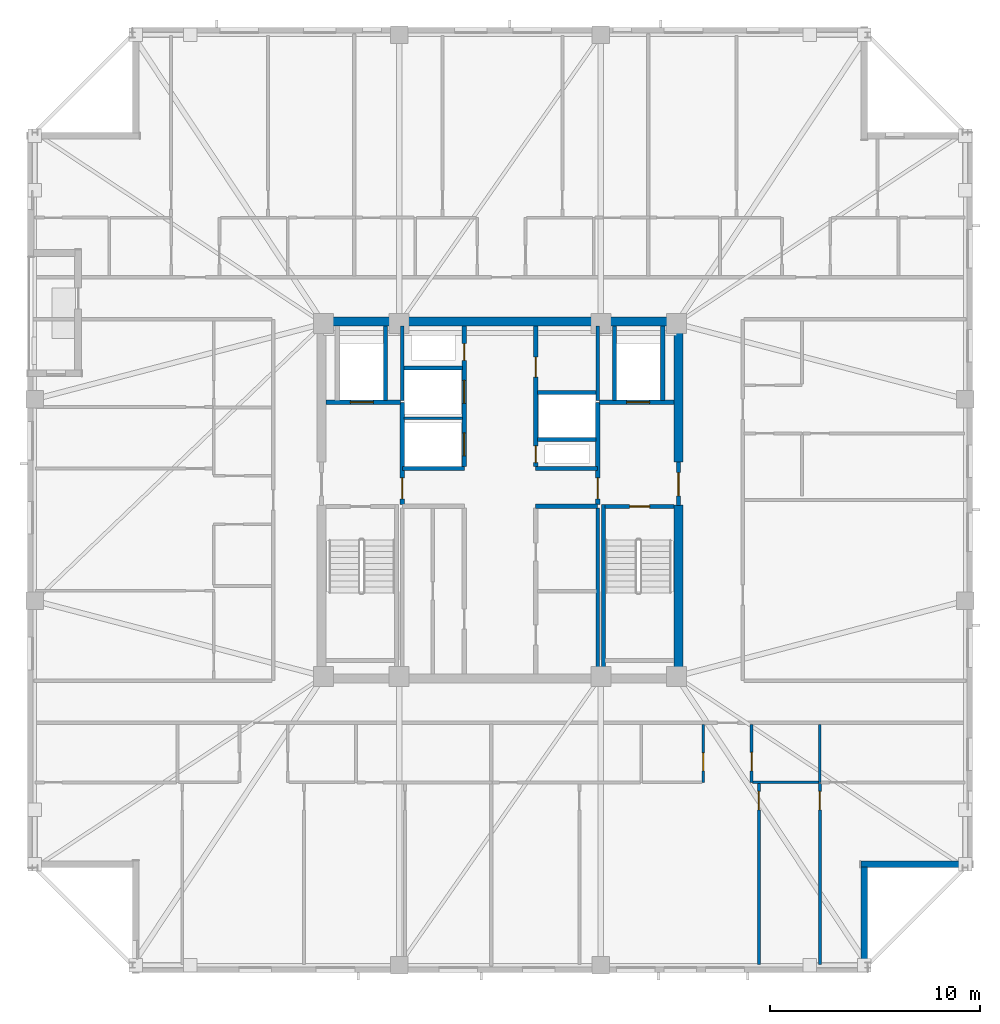
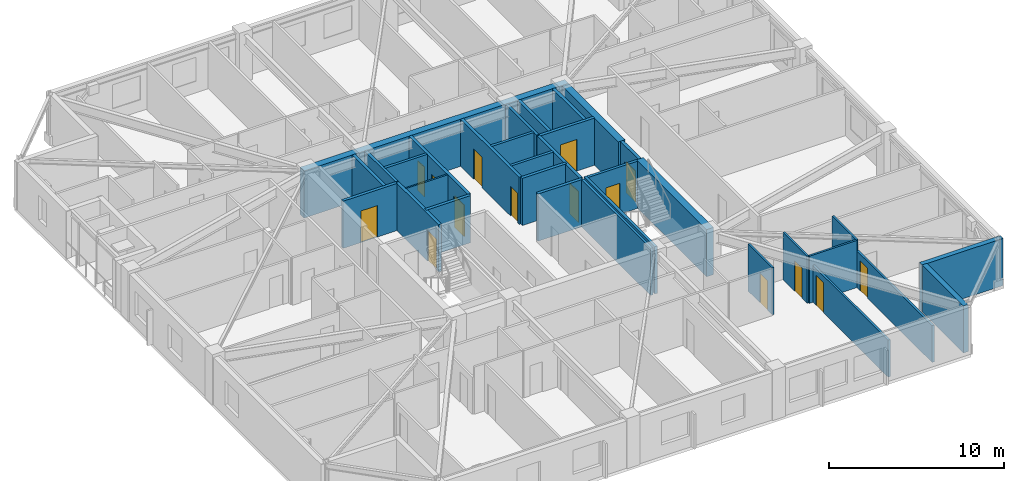
# One storey, part 9 of 17: 33 walls, 15 doors, 15 openings.
"""IFC4 building model written with IfcOpenShell, lengths in metres."""

import ifcopenshell
import ifcopenshell.guid

model = None  # the IFC model being written
_history = None  # IfcOwnerHistory: only IFC2X3 demands one
_inside = {}  # id of a spatial element -> (the spatial element, [elements in it])
_under = {}  # id of a project, library or spatial element -> (it, [spatial elements below it])
_declared = {}  # id of a project -> (the project, [libraries it declares])
_typed = {}  # id of a type object -> (the type object, [elements of that type])
_made_of = {}  # id of a material, layer set ... -> (it, [elements and type objects made of it])


def new_model(schema):
    """Start an empty IFC model of exactly this schema.

    Asked for "IFC4X3", IfcOpenShell would pick the latest addendum, in which some entities
    have other attributes; the version numbers below select the first issue.
    IFC2X3 requires an IfcOwnerHistory on every rooted entity: one is made here for all.
    """
    global model, _history
    if schema == "IFC4X3":
        model = ifcopenshell.file(schema_version=(4, 3, 0, 0))
    else:
        model = ifcopenshell.file(schema=schema)
    _inside.clear()
    _under.clear()
    _declared.clear()
    _typed.clear()
    _made_of.clear()
    _history = None
    if model.schema == "IFC2X3":
        org = make("IfcOrganization", Name="unknown")
        user = make(
            "IfcPersonAndOrganization",
            ThePerson=make("IfcPerson", FamilyName="unknown"),
            TheOrganization=org,
        )
        app = make(
            "IfcApplication",
            ApplicationDeveloper=org,
            Version="unknown",
            ApplicationFullName="unknown",
            ApplicationIdentifier="unknown",
        )
        _history = make(
            "IfcOwnerHistory",
            OwningUser=user,
            OwningApplication=app,
            ChangeAction="ADDED",
            CreationDate=0,
        )
    return model


def make(cls, **values):
    """One entity of the class cls with the attributes given. An attribute that is None is left unset."""
    return model.create_entity(
        cls, **{name: value for name, value in values.items() if value is not None}
    )


def rooted(cls, **values):
    """An entity with a GlobalId (a new one), such as an element, a storey or a relation."""
    return make(cls, GlobalId=ifcopenshell.guid.new(), OwnerHistory=_history, **values)


def si_unit(unit_type, name, prefix=None):
    """IfcSIUnit, for example si_unit("LENGTHUNIT", "METRE", prefix="MILLI")."""
    return make("IfcSIUnit", UnitType=unit_type, Prefix=prefix, Name=name)


def assignment(units):
    """IfcUnitAssignment: the units of a project."""
    return None if units is None else make("IfcUnitAssignment", Units=units)


def point(xyz):
    """IfcCartesianPoint."""
    return None if xyz is None else make("IfcCartesianPoint", Coordinates=xyz)


def direction(xyz):
    """IfcDirection."""
    return None if xyz is None else make("IfcDirection", DirectionRatios=xyz)


def frame(location, z_axis=None, x_axis=None):
    """IfcAxis2Placement3D, a coordinate frame: its origin and axes. An axis left out is left unset."""
    return make(
        "IfcAxis2Placement3D",
        Location=point(location),
        Axis=direction(z_axis),
        RefDirection=direction(x_axis),
    )


def frame_2d(location, x_axis=None):
    """IfcAxis2Placement2D, a coordinate frame in the plane: its origin and x axis."""
    return make(
        "IfcAxis2Placement2D", Location=point(location), RefDirection=direction(x_axis)
    )


def origin():
    """The frame at (0, 0, 0) with its axes left unset."""
    return frame((0.0, 0.0, 0.0))


def place(relative_to, where):
    """IfcLocalPlacement: puts the frame where relative to a parent placement (None: the world)."""
    return make(
        "IfcLocalPlacement", PlacementRelTo=relative_to, RelativePlacement=where
    )


def context(
    kind, dimensions, precision=None, world=None, true_north=None, identifier=None
):
    """IfcGeometricRepresentationContext, for example the 3D "Model" context."""
    return make(
        "IfcGeometricRepresentationContext",
        ContextIdentifier=identifier,
        ContextType=kind,
        CoordinateSpaceDimension=dimensions,
        Precision=precision,
        WorldCoordinateSystem=world,
        TrueNorth=true_north,
    )


def subcontext(parent, identifier, kind, view, scale=None):
    """IfcGeometricRepresentationSubContext, for example "Body" below "Model"."""
    return make(
        "IfcGeometricRepresentationSubContext",
        ContextIdentifier=identifier,
        ContextType=kind,
        ParentContext=parent,
        TargetScale=scale,
        TargetView=view,
    )


def project(units=None, contexts=None):
    """IfcProject with its units and contexts."""
    return rooted(
        "IfcProject",
        Name="project",
        RepresentationContexts=contexts,
        UnitsInContext=assignment(units),
    )


def spatial(cls, under=None, at=None, **own):
    """A site, building, storey or space (cls), placed at a placement, below another one or the project."""
    s = rooted(cls, ObjectPlacement=at, **own)
    if under is not None:
        _under.setdefault(under.id(), (under, []))[1].append(s)
    return s


def profile(cls, at=None, kind="AREA", **sizes):
    """A parametric profile (cls). Its sizes go by their IFC names, for example OverallWidth=200.0."""
    return make(cls, ProfileType=kind, Position=at, **sizes)


def rectangle(**sizes):
    """IfcRectangleProfileDef."""
    return profile("IfcRectangleProfileDef", **sizes)


def extrude(swept, where, along, depth):
    """IfcExtrudedAreaSolid: the profile swept, set in the frame where, extruded along a direction by depth."""
    return make(
        "IfcExtrudedAreaSolid",
        SweptArea=swept,
        Position=where,
        ExtrudedDirection=direction(along),
        Depth=depth,
    )


def shape(context_of_items, identifier, shape_type, items):
    """IfcShapeRepresentation: the items that make up one representation, for example the "Body"."""
    return make(
        "IfcShapeRepresentation",
        ContextOfItems=context_of_items,
        RepresentationIdentifier=identifier,
        RepresentationType=shape_type,
        Items=items,
    )


def material(Name=None, Category=None):
    """IfcMaterial."""
    return make("IfcMaterial", Name=Name, Category=Category)


def layer(
    of_material, thickness, ventilated=None, Name=None, Category=None, Priority=None
):
    """IfcMaterialLayer: one layer of a wall or slab, of a material (None: an air gap)."""
    return make(
        "IfcMaterialLayer",
        Material=of_material,
        LayerThickness=thickness,
        IsVentilated=ventilated,
        Name=Name,
        Category=Category,
        Priority=Priority,
    )


def layer_set(layers, Name=None):
    """IfcMaterialLayerSet."""
    return make("IfcMaterialLayerSet", MaterialLayers=layers, LayerSetName=Name)


def made_of(thing, what):
    """Note that an element or type object is made of a material, layer set ...; save() writes the relation."""
    if what is not None:
        _made_of.setdefault(what.id(), (what, []))[1].append(thing)
    return thing


def type_object(cls, material=None, **own):
    """A type object (cls), such as IfcWallType, which elements share."""
    return made_of(rooted(cls, **own), material)


def element(
    cls,
    number,
    at=None,
    inside=None,
    cuts=None,
    type_object=None,
    material=None,
    context=None,
    identifier="Body",
    shape_type=None,
    held_by="IfcProductDefinitionShape",
    body=None,
    shapes=None,
    **own,
):
    """One element of the class cls, such as IfcWall. Its Tag is "e" and its number.

    at: its placement. inside: the storey or other place that contains it. cuts: it is an
    opening in that element (IfcRelVoidsElement). A single representation is given by context,
    identifier, shape_type and body (its items); several are given by shapes. held_by: the class
    of the entity that holds the representations. save() writes the other relations.
    """
    e = rooted(cls, Tag="e%d" % number, ObjectPlacement=at, **own)
    if body is not None:
        shapes = [shape(context, identifier, shape_type, body)]
    if shapes is not None:
        e.Representation = make(held_by, Representations=shapes)
    if inside is not None:
        _inside.setdefault(inside.id(), (inside, []))[1].append(e)
    if cuts is not None:
        rooted(
            "IfcRelVoidsElement", RelatingBuildingElement=cuts, RelatedOpeningElement=e
        )
    if type_object is not None:
        _typed.setdefault(type_object.id(), (type_object, []))[1].append(e)
    return made_of(e, material)


def fill(opening, filler):
    """IfcRelFillsElement: the door or window that sits in an opening."""
    return rooted(
        "IfcRelFillsElement",
        RelatingOpeningElement=opening,
        RelatedBuildingElement=filler,
    )


def aggregate(whole, parts):
    """IfcRelAggregates: a whole, such as a stair, and the parts it consists of."""
    return rooted("IfcRelAggregates", RelatingObject=whole, RelatedObjects=parts)


def save(model, path):
    """Write the relations noted so far, then the file.

    IfcRelAggregates (storeys below a building ...), IfcRelContainedInSpatialStructure (elements
    in a storey), IfcRelDefinesByType, IfcRelAssociatesMaterial and IfcRelDeclares: one each for
    every whole, place, type object, material and project.
    """
    for whole, parts in _under.values():
        aggregate(whole, parts)
    for where, things in _inside.values():
        rooted(
            "IfcRelContainedInSpatialStructure",
            RelatedElements=things,
            RelatingStructure=where,
        )
    for kind, things in _typed.values():
        rooted("IfcRelDefinesByType", RelatedObjects=things, RelatingType=kind)
    for what, things in _made_of.values():
        rooted("IfcRelAssociatesMaterial", RelatedObjects=things, RelatingMaterial=what)
    for by, libraries in _declared.values():
        rooted("IfcRelDeclares", RelatingContext=by, RelatedDefinitions=libraries)
    model.write(path)


model = new_model("IFC4")

# Units and contexts
model_context = context("Model", 3, precision=1e-05, world=origin(), true_north=direction((0.0, 1.0)))
body_context = subcontext(model_context, "Body", "Model", "MODEL_VIEW")
ifc_project = project(units=[si_unit("LENGTHUNIT", "METRE"), si_unit("AREAUNIT", "SQUARE_METRE"), si_unit("VOLUMEUNIT", "CUBIC_METRE"), si_unit("PLANEANGLEUNIT", "RADIAN"), si_unit("MASSUNIT", "GRAM", prefix="KILO")], contexts=[model_context])

# Site, building, storey
site_placement = place(None, origin())
site = spatial("IfcSite", under=ifc_project, at=site_placement, CompositionType="ELEMENT")
building_placement = place(site_placement, origin())
building = spatial("IfcBuilding", under=site, at=building_placement, Name="Cairnveth Concourse Tower", CompositionType="ELEMENT")
storey_placement = place(building_placement, frame((0.0, 0.0, 230.5)))
storey = spatial("IfcBuildingStorey", under=building, at=storey_placement, Name="L63", CompositionType="ELEMENT", Elevation=230.5)

# Walls
ifc_material_1 = material(Name="Gypsum Plasterboard Partition", Category="gypsum")
ifc_layer_1 = layer(ifc_material_1, 0.159912109375)
ifc_layer_set_1 = layer_set([ifc_layer_1], Name="Gypsum Plasterboard Partition")
wall_type_1 = type_object("IfcWallType", Name="ACOUSTIC PARTY WALL 180", PredefinedType="PARTITIONING", material=ifc_layer_set_1)
wall_1_placement = place(storey_placement, frame((56.64990234375, 30.7099609375, 0.0), z_axis=(0.0, 0.0, 1.0), x_axis=(0.0, 1.0, 0.0)))
element("IfcWall", 1, at=wall_1_placement, inside=storey, type_object=wall_type_1, Name="Interior Wall IW-L63-027", PredefinedType="PARTITIONING", context=body_context, shape_type="SweptSolid", body=[
    extrude(rectangle(XDim=7.905029296875, YDim=0.159912109375, at=frame_2d((3.95263671875, 0.0))), origin(), (0.0, 0.0, 1.0), 3.2900390625),
])
ifc_material_2 = material(Name="Concrete N65 (65 MPa)", Category="concrete")
ifc_layer_2 = layer(ifc_material_2, 0.449951171875)
ifc_layer_set_2 = layer_set([ifc_layer_2], Name="Concrete N65 (65 MPa)")
wall_type_2 = type_object("IfcWallType", Name="CORE SHEAR WALL 450", PredefinedType="SHEAR", material=ifc_layer_set_2)
wall_2_placement = place(storey_placement, frame((43.27490234375, 47.5, 0.0), z_axis=(0.0, 0.0, 1.0), x_axis=(1.0, 0.0, 0.0)))
element("IfcWall", 2, at=wall_2_placement, inside=storey, type_object=wall_type_2, Name="Core North Shear Wall L63", PredefinedType="SHEAR", context=body_context, shape_type="SweptSolid", body=[
    extrude(rectangle(XDim=17.4501953125, YDim=0.449951171875, at=frame_2d((8.72509765625, 0.0))), origin(), (0.0, 0.0, 1.0), 3.2900390625),
])
wall_3_placement = place(storey_placement, frame((60.5, 30.715087890625, 0.0), z_axis=(0.0, 0.0, 1.0), x_axis=(0.0, 1.0, 0.0)))
element("IfcWall", 3, at=wall_3_placement, inside=storey, type_object=wall_type_2, Name="Core East Shear Wall S L63", PredefinedType="SHEAR", context=body_context, shape_type="SweptSolid", body=[
    extrude(rectangle(XDim=8.034912109375, YDim=0.449951171875, at=frame_2d((4.017578125, 0.0))), origin(), (0.0, 0.0, 1.0), 3.2900390625),
])
wall_4_placement = place(storey_placement, frame((60.5, 40.800048828125, 0.0), z_axis=(0.0, 0.0, 1.0), x_axis=(0.0, 1.0, 0.0)))
element("IfcWall", 4, at=wall_4_placement, inside=storey, type_object=wall_type_2, Name="Core East Shear Wall N L63", PredefinedType="SHEAR", context=body_context, shape_type="SweptSolid", body=[
    extrude(rectangle(XDim=6.48486328125, YDim=0.449951171875, at=frame_2d((3.242431640625, 0.0))), origin(), (0.0, 0.0, 1.0), 3.2900390625),
])
ifc_material_3 = material(Name="Concrete N50 (50 MPa)", Category="concrete")
ifc_layer_3 = layer(ifc_material_3, 0.179931640625)
ifc_layer_set_3 = layer_set([ifc_layer_3], Name="Concrete N50 (50 MPa)")
wall_type_3 = type_object("IfcWallType", Name="FIRE SHAFT WALL 180", PredefinedType="SOLIDWALL", material=ifc_layer_set_3)
wall_5_placement = place(storey_placement, frame((47.35009765625, 43.735107421875, 0.0), z_axis=(0.0, 0.0, 1.0), x_axis=(0.0, 1.0, 0.0)))
element("IfcWall", 5, at=wall_5_placement, inside=storey, type_object=wall_type_3, Name="Interior Wall IW-L63-029", PredefinedType="SOLIDWALL", context=body_context, shape_type="SweptSolid", body=[
    extrude(rectangle(XDim=3.554931640625, YDim=0.179931640625, at=frame_2d((1.77734375, 0.0))), origin(), (0.0, 0.0, 1.0), 3.2900390625),
])
wall_6_placement = place(storey_placement, frame((47.425048828125, 45.280029296875, 0.0), z_axis=(0.0, 0.0, 1.0), x_axis=(1.0, 0.0, 0.0)))
element("IfcWall", 6, at=wall_6_placement, inside=storey, type_object=wall_type_3, Name="Interior Wall IW-L63-031", PredefinedType="SOLIDWALL", context=body_context, shape_type="SweptSolid", body=[
    extrude(rectangle(XDim=2.7900390625, YDim=0.179931640625, at=frame_2d((1.39501953125, 0.0))), origin(), (0.0, 0.0, 1.0), 3.2900390625),
])
wall_7_placement = place(storey_placement, frame((56.64990234375, 43.735107421875, 0.0), z_axis=(0.0, 0.0, 1.0), x_axis=(0.0, 1.0, 0.0)))
element("IfcWall", 7, at=wall_7_placement, inside=storey, type_object=wall_type_3, Name="Interior Wall IW-L63-032", PredefinedType="SOLIDWALL", context=body_context, shape_type="SweptSolid", body=[
    extrude(rectangle(XDim=3.554931640625, YDim=0.179931640625, at=frame_2d((1.77734375, 0.0))), origin(), (0.0, 0.0, 1.0), 3.2900390625),
])
wall_8_placement = place(storey_placement, frame((53.784912109375, 41.8798828125, 0.0), z_axis=(0.0, 0.0, 1.0), x_axis=(1.0, 0.0, 0.0)))
element("IfcWall", 8, at=wall_8_placement, inside=storey, type_object=wall_type_3, Name="Interior Wall IW-L63-033", PredefinedType="SOLIDWALL", context=body_context, shape_type="SweptSolid", body=[
    extrude(rectangle(XDim=2.780029296875, YDim=0.179931640625, at=frame_2d((1.39013671875, 0.0))), origin(), (0.0, 0.0, 1.0), 3.2900390625),
])
wall_9_placement = place(storey_placement, frame((53.784912109375, 44.1201171875, 0.0), z_axis=(0.0, 0.0, 1.0), x_axis=(1.0, 0.0, 0.0)))
element("IfcWall", 9, at=wall_9_placement, inside=storey, type_object=wall_type_3, Name="Interior Wall IW-L63-034", PredefinedType="SOLIDWALL", context=body_context, shape_type="SweptSolid", body=[
    extrude(rectangle(XDim=2.7900390625, YDim=0.179931640625, at=frame_2d((1.39501953125, 0.0))), origin(), (0.0, 0.0, 1.0), 3.2900390625),
])

# Wall, opening, door
wall_10_placement = place(storey_placement, frame((57.0048828125, 38.68994140625, 0.0), z_axis=(0.0, 0.0, 1.0), x_axis=(1.0, 0.0, 0.0)))
wall_10 = element("IfcWall", 10, at=wall_10_placement, inside=storey, type_object=wall_type_3, Name="Stair ST-2 Shaft Wall NEAR L63", PredefinedType="SOLIDWALL", context=body_context, shape_type="SweptSolid", body=[
    extrude(rectangle(XDim=3.280029296875, YDim=0.179931640625, at=frame_2d((1.64013671875, 0.0))), origin(), (0.0, 0.0, 1.0), 3.2900390625),
])
opening_1_placement = place(wall_10_placement, frame((1.1650390625, 0.0, 0.0)))
opening_1 = element("IfcOpeningElement", 11, at=opening_1_placement, cuts=wall_10, Name="Opening ID12", PredefinedType="OPENING", context=body_context, shape_type="SweptSolid", body=[
    extrude(rectangle(XDim=0.949951171875, YDim=2.14990234375, at=frame_2d((0.47509765625, 1.074951171875))), frame((0.0, 0.099853515625, 0.0), z_axis=(0.0, -1.0, 0.0), x_axis=(1.0, 0.0, 0.0)), (0.0, 0.0, 1.0), 0.199951171875),
])
ifc_material_4 = material(Name="Steel Grade 350", Category="steel")
door_type_1 = type_object("IfcDoorType", Name="FIRE STAIR DOOR 950X2150", OperationType="NOTDEFINED", PredefinedType="DOOR", material=ifc_material_4)
door_1_placement = place(opening_1_placement, origin())
door_1 = element("IfcDoor", 12, at=door_1_placement, inside=storey, type_object=door_type_1, Name="Stair ST-2 Fire Door L63", OperationType="SINGLE_SWING_RIGHT", OverallHeight=2.14990234375, OverallWidth=0.949951171875, PredefinedType="DOOR", context=body_context, shape_type="SweptSolid", body=[
    extrude(rectangle(XDim=0.949951171875, YDim=2.14990234375, at=frame_2d((0.47509765625, 1.074951171875))), frame((0.0, 0.02490234375, 0.0), z_axis=(0.0, -1.0, 0.0), x_axis=(1.0, 0.0, 0.0)), (0.0, 0.0, 1.0), 0.050048828125),
])
fill(opening_1, door_1)

# Walls
wall_11_placement = place(storey_placement, frame((56.929931640625, 38.780029296875, 0.0), z_axis=(0.0, 0.0, 1.0), x_axis=(0.0, -1.0, 0.0)))
element("IfcWall", 13, at=wall_11_placement, inside=storey, type_object=wall_type_3, Name="Stair ST-2 Shaft Wall LEFT L63", PredefinedType="SOLIDWALL", context=body_context, shape_type="SweptSolid", body=[
    extrude(rectangle(XDim=8.067138671875, YDim=0.179931640625, at=frame_2d((4.03369140625, 0.0))), origin(), (0.0, 0.0, 1.0), 3.2900390625),
])
ifc_layer_4 = layer(ifc_material_3, 0.199951171875)
ifc_layer_set_4 = layer_set([ifc_layer_4], Name="Concrete N50 (50 MPa)")
wall_type_4 = type_object("IfcWallType", Name="FIRE SHAFT WALL 200", PredefinedType="SOLIDWALL", material=ifc_layer_set_4)
for number, where, z_axis, x_axis, name in (
    (14, (47.35009765625, 40.5, 0.0), (0.0, 0.0, 1.0), (1.0, 0.0, 0.0), "Interior Wall IW-L63-008"),
    (15, (53.699951171875, 38.699951171875, 0.0), (0.0, 0.0, 1.0), (1.0, 0.0, 0.0), "Interior Wall IW-L63-009"),
    (16, (53.699951171875, 40.5, 0.0), (0.0, 0.0, 1.0), (1.0, 0.0, 0.0), "Interior Wall IW-L63-010"),
):
    element("IfcWall", number, at=place(storey_placement, frame(where, z_axis=z_axis, x_axis=x_axis)), inside=storey, type_object=wall_type_4, Name=name, PredefinedType="SOLIDWALL", context=body_context, shape_type="SweptSolid", body=[
        extrude(rectangle(XDim=2.949951171875, YDim=0.199951171875, at=frame_2d((1.47509765625, 0.0))), origin(), (0.0, 0.0, 1.0), 3.2900390625),
    ])

# Wall, openings, doors
wall_12_placement = place(storey_placement, frame((50.300048828125, 40.5849609375, 0.0), z_axis=(0.0, 0.0, 1.0), x_axis=(0.0, 1.0, 0.0)))
wall_12 = element("IfcWall", 17, at=wall_12_placement, inside=storey, type_object=wall_type_4, Name="Interior Wall IW-L63-013", PredefinedType="SOLIDWALL", context=body_context, shape_type="SweptSolid", body=[
    extrude(rectangle(XDim=6.705078125, YDim=0.199951171875, at=frame_2d((3.3525390625, 0.0))), origin(), (0.0, 0.0, 1.0), 3.2900390625),
])
opening_2_placement = place(wall_12_placement, frame((0.514892578125, 0.0, 0.0)))
opening_2 = element("IfcOpeningElement", 18, at=opening_2_placement, cuts=wall_12, Name="Opening LD-1", PredefinedType="OPENING", context=body_context, shape_type="SweptSolid", body=[
    extrude(rectangle(XDim=1.10009765625, YDim=2.199951171875, at=frame_2d((0.550048828125, 1.10009765625))), frame((0.0, 0.10986328125, 0.0), z_axis=(0.0, -1.0, 0.0), x_axis=(1.0, 0.0, 0.0)), (0.0, 0.0, 1.0), 0.219970703125),
])
opening_3_placement = place(wall_12_placement, frame((3.014892578125, 0.0, 0.0)))
opening_3 = element("IfcOpeningElement", 19, at=opening_3_placement, cuts=wall_12, Name="Opening LD-1", PredefinedType="OPENING", context=body_context, shape_type="SweptSolid", body=[
    extrude(rectangle(XDim=1.10009765625, YDim=2.199951171875, at=frame_2d((0.550048828125, 1.10009765625))), frame((0.0, 0.10986328125, 0.0), z_axis=(0.0, -1.0, 0.0), x_axis=(1.0, 0.0, 0.0)), (0.0, 0.0, 1.0), 0.219970703125),
])
opening_4_placement = place(wall_12_placement, frame((5.06494140625, 0.0, 0.0)))
opening_4 = element("IfcOpeningElement", 20, at=opening_4_placement, cuts=wall_12, Name="Opening ID24", PredefinedType="OPENING", context=body_context, shape_type="SweptSolid", body=[
    extrude(rectangle(XDim=0.800048828125, YDim=2.080078125, at=frame_2d((0.39990234375, 1.0400390625))), frame((0.0, 0.10986328125, 0.0), z_axis=(0.0, -1.0, 0.0), x_axis=(1.0, 0.0, 0.0)), (0.0, 0.0, 1.0), 0.219970703125),
])
ifc_material_5 = material(Name="Architectural Bronze Anodised Aluminium 6063-T6", Category="aluminium")
door_type_2 = type_object("IfcDoorType", Name="LIFT LANDING DOOR 1100X2200", OperationType="SLIDING_TO_LEFT", PredefinedType="DOOR", material=ifc_material_5)
door_2_placement = place(opening_2_placement, origin())
door_2 = element("IfcDoor", 21, at=door_2_placement, inside=storey, type_object=door_type_2, Name="Lift PL7 Landing Door L63", OperationType="SLIDING_TO_LEFT", OverallHeight=2.199951171875, OverallWidth=1.10009765625, PredefinedType="DOOR", context=body_context, shape_type="SweptSolid", body=[
    extrude(rectangle(XDim=1.10009765625, YDim=2.199951171875, at=frame_2d((0.550048828125, 1.10009765625))), frame((0.0, 0.02490234375, 0.0), z_axis=(0.0, -1.0, 0.0), x_axis=(1.0, 0.0, 0.0)), (0.0, 0.0, 1.0), 0.050048828125),
])
fill(opening_2, door_2)
door_3_placement = place(opening_3_placement, origin())
door_3 = element("IfcDoor", 22, at=door_3_placement, inside=storey, type_object=door_type_2, Name="Lift PL8 Landing Door L63", OperationType="SLIDING_TO_LEFT", OverallHeight=2.199951171875, OverallWidth=1.10009765625, PredefinedType="DOOR", context=body_context, shape_type="SweptSolid", body=[
    extrude(rectangle(XDim=1.10009765625, YDim=2.199951171875, at=frame_2d((0.550048828125, 1.10009765625))), frame((0.0, 0.02490234375, 0.0), z_axis=(0.0, -1.0, 0.0), x_axis=(1.0, 0.0, 0.0)), (0.0, 0.0, 1.0), 0.050048828125),
])
fill(opening_3, door_3)
door_type_3 = type_object("IfcDoorType", Name="RISER ACCESS DOOR 800X2100", OperationType="NOTDEFINED", PredefinedType="DOOR", material=ifc_material_4)
door_4_placement = place(opening_4_placement, origin())
door_4 = element("IfcDoor", 23, at=door_4_placement, inside=storey, type_object=door_type_3, Name="NW Electrical Riser Access Door L63", OperationType="SINGLE_SWING_LEFT", OverallHeight=2.080078125, OverallWidth=0.800048828125, PredefinedType="DOOR", context=body_context, shape_type="SweptSolid", body=[
    extrude(rectangle(XDim=0.800048828125, YDim=2.080078125, at=frame_2d((0.39990234375, 1.0400390625))), frame((0.0, 0.02490234375, 0.0), z_axis=(0.0, -1.0, 0.0), x_axis=(1.0, 0.0, 0.0)), (0.0, 0.0, 1.0), 0.050048828125),
])
fill(opening_4, door_4)

wall_13_placement = place(storey_placement, frame((53.699951171875, 40.5849609375, 0.0), z_axis=(0.0, 0.0, 1.0), x_axis=(0.0, 1.0, 0.0)))
wall_13 = element("IfcWall", 24, at=wall_13_placement, inside=storey, type_object=wall_type_4, Name="Interior Wall IW-L63-014", PredefinedType="SOLIDWALL", context=body_context, shape_type="SweptSolid", body=[
    extrude(rectangle(XDim=6.705078125, YDim=0.199951171875, at=frame_2d((3.3525390625, 0.0))), origin(), (0.0, 0.0, 1.0), 3.2900390625),
])
opening_5_placement = place(wall_13_placement, frame((0.195068359375, 0.0, 0.0)))
opening_5 = element("IfcOpeningElement", 25, at=opening_5_placement, cuts=wall_13, Name="Opening ID24", PredefinedType="OPENING", context=body_context, shape_type="SweptSolid", body=[
    extrude(rectangle(XDim=0.800048828125, YDim=2.080078125, at=frame_2d((0.39990234375, 1.0400390625))), frame((0.0, 0.10986328125, 0.0), z_axis=(0.0, -1.0, 0.0), x_axis=(1.0, 0.0, 0.0)), (0.0, 0.0, 1.0), 0.219970703125),
])
opening_6_placement = place(wall_13_placement, frame((4.264892578125, 0.0, 0.0)))
opening_6 = element("IfcOpeningElement", 26, at=opening_6_placement, cuts=wall_13, Name="Opening ID25", PredefinedType="OPENING", context=body_context, shape_type="SweptSolid", body=[
    extrude(rectangle(XDim=0.949951171875, YDim=2.1201171875, at=frame_2d((0.47509765625, 1.06005859375))), frame((0.0, 0.10986328125, 0.0), z_axis=(0.0, -1.0, 0.0), x_axis=(1.0, 0.0, 0.0)), (0.0, 0.0, 1.0), 0.219970703125),
])
door_type_4 = type_object("IfcDoorType", Name="CORE ACCESSIBLE FIRE DOOR 950X2120", OperationType="NOTDEFINED", PredefinedType="DOOR", material=ifc_material_4)
door_5_placement = place(opening_6_placement, origin())
door_5 = element("IfcDoor", 27, at=door_5_placement, inside=storey, type_object=door_type_4, Name="Core NE Accessible WC Door L63", OperationType="SINGLE_SWING_LEFT", OverallHeight=2.1201171875, OverallWidth=0.949951171875, PredefinedType="DOOR", context=body_context, shape_type="SweptSolid", body=[
    extrude(rectangle(XDim=0.949951171875, YDim=2.1201171875, at=frame_2d((0.47509765625, 1.06005859375))), frame((0.0, 0.02490234375, 0.0), z_axis=(0.0, -1.0, 0.0), x_axis=(1.0, 0.0, 0.0)), (0.0, 0.0, 1.0), 0.050048828125),
])
fill(opening_6, door_5)
door_6_placement = place(opening_5_placement, origin())
door_6 = element("IfcDoor", 28, at=door_6_placement, inside=storey, type_object=door_type_3, Name="Hydraulic Riser Door L63", OperationType="SINGLE_SWING_RIGHT", OverallHeight=2.080078125, OverallWidth=0.800048828125, PredefinedType="DOOR", context=body_context, shape_type="SweptSolid", body=[
    extrude(rectangle(XDim=0.800048828125, YDim=2.080078125, at=frame_2d((0.39990234375, 1.0400390625))), frame((0.0, 0.02490234375, 0.0), z_axis=(0.0, -1.0, 0.0), x_axis=(1.0, 0.0, 0.0)), (0.0, 0.0, 1.0), 0.050048828125),
])
fill(opening_5, door_6)

# Wall, opening, door
wall_14_placement = place(storey_placement, frame((47.35009765625, 38.784912109375, 0.0), z_axis=(0.0, 0.0, 1.0), x_axis=(0.0, 1.0, 0.0)))
wall_14 = element("IfcWall", 29, at=wall_14_placement, inside=storey, type_object=wall_type_4, Name="Interior Wall IW-L63-016", PredefinedType="SOLIDWALL", context=body_context, shape_type="SweptSolid", body=[
    extrude(rectangle(XDim=4.864990234375, YDim=0.199951171875, at=frame_2d((2.4326171875, 0.0))), origin(), (0.0, 0.0, 1.0), 3.2900390625),
])
opening_7_placement = place(wall_14_placement, frame((0.264892578125, 0.0, 0.0)))
opening_7 = element("IfcOpeningElement", 30, at=opening_7_placement, cuts=wall_14, Name="Opening ID07", PredefinedType="OPENING", context=body_context, shape_type="SweptSolid", body=[
    extrude(rectangle(XDim=1.0, YDim=2.14990234375, at=frame_2d((0.5, 1.074951171875))), frame((0.0, 0.10986328125, 0.0), z_axis=(0.0, -1.0, 0.0), x_axis=(1.0, 0.0, 0.0)), (0.0, 0.0, 1.0), 0.219970703125),
])
door_type_5 = type_object("IfcDoorType", Name="FIRE CORRIDOR DOOR 1000X2150", OperationType="NOTDEFINED", PredefinedType="DOOR", material=ifc_material_4)
door_7_placement = place(opening_7_placement, origin())
door_7 = element("IfcDoor", 31, at=door_7_placement, inside=storey, type_object=door_type_5, Name="FF Lobby West to Lift Lobby Door L63", OperationType="SINGLE_SWING_RIGHT", OverallHeight=2.14990234375, OverallWidth=1.0, PredefinedType="DOOR", context=body_context, shape_type="SweptSolid", body=[
    extrude(rectangle(XDim=1.0, YDim=2.14990234375, at=frame_2d((0.5, 1.074951171875))), frame((0.0, 0.02490234375, 0.0), z_axis=(0.0, -1.0, 0.0), x_axis=(1.0, 0.0, 0.0)), (0.0, 0.0, 1.0), 0.050048828125),
])
fill(opening_7, door_7)

wall_15_placement = place(storey_placement, frame((43.7099609375, 43.64990234375, 0.0), z_axis=(0.0, 0.0, 1.0), x_axis=(1.0, 0.0, 0.0)))
wall_15 = element("IfcWall", 32, at=wall_15_placement, inside=storey, type_object=wall_type_4, Name="Interior Wall IW-L63-017", PredefinedType="SOLIDWALL", context=body_context, shape_type="SweptSolid", body=[
    extrude(rectangle(XDim=3.554931640625, YDim=0.199951171875, at=frame_2d((1.77734375, 0.0))), origin(), (0.0, 0.0, 1.0), 3.2900390625),
])
opening_8_placement = place(wall_15_placement, frame((1.159912109375, 0.0, 0.0)))
opening_8 = element("IfcOpeningElement", 33, at=opening_8_placement, cuts=wall_15, Name="Opening LD-1", PredefinedType="OPENING", context=body_context, shape_type="SweptSolid", body=[
    extrude(rectangle(XDim=1.10009765625, YDim=2.199951171875, at=frame_2d((0.550048828125, 1.10009765625))), frame((0.0, 0.10986328125, 0.0), z_axis=(0.0, -1.0, 0.0), x_axis=(1.0, 0.0, 0.0)), (0.0, 0.0, 1.0), 0.219970703125),
])
door_8_placement = place(opening_8_placement, origin())
door_8 = element("IfcDoor", 34, at=door_8_placement, inside=storey, type_object=door_type_2, Name="Lift FFL1 Landing Door L63", OperationType="SLIDING_TO_LEFT", OverallHeight=2.199951171875, OverallWidth=1.10009765625, PredefinedType="DOOR", context=body_context, shape_type="SweptSolid", body=[
    extrude(rectangle(XDim=1.10009765625, YDim=2.199951171875, at=frame_2d((0.550048828125, 1.10009765625))), frame((0.0, 0.02490234375, 0.0), z_axis=(0.0, -1.0, 0.0), x_axis=(1.0, 0.0, 0.0)), (0.0, 0.0, 1.0), 0.050048828125),
])
fill(opening_8, door_8)

# Wall
wall_16_placement = place(storey_placement, frame((46.550048828125, 43.735107421875, 0.0), z_axis=(0.0, 0.0, 1.0), x_axis=(0.0, 1.0, 0.0)))
element("IfcWall", 35, at=wall_16_placement, inside=storey, type_object=wall_type_4, Name="Interior Wall IW-L63-018", PredefinedType="SOLIDWALL", context=body_context, shape_type="SweptSolid", body=[
    extrude(rectangle(XDim=3.554931640625, YDim=0.199951171875, at=frame_2d((1.77734375, 0.0))), origin(), (0.0, 0.0, 1.0), 3.2900390625),
])

# Wall, opening, door
wall_17_placement = place(storey_placement, frame((60.5, 38.75, 0.0), z_axis=(0.0, 0.0, 1.0), x_axis=(0.0, 1.0, 0.0)))
wall_17 = element("IfcWall", 36, at=wall_17_placement, inside=storey, type_object=wall_type_4, Name="Interior Wall IW-L63-020", PredefinedType="SOLIDWALL", context=body_context, shape_type="SweptSolid", body=[
    extrude(rectangle(XDim=2.050048828125, YDim=0.199951171875, at=frame_2d((1.02490234375, 0.0))), origin(), (0.0, 0.0, 1.0), 3.2900390625),
])
opening_9_placement = place(wall_17_placement, frame((0.449951171875, 0.0, 0.0)))
opening_9 = element("IfcOpeningElement", 37, at=opening_9_placement, cuts=wall_17, Name="Opening ID06", PredefinedType="OPENING", context=body_context, shape_type="SweptSolid", body=[
    extrude(rectangle(XDim=1.10009765625, YDim=2.14990234375, at=frame_2d((0.550048828125, 1.074951171875))), frame((0.0, 0.10986328125, 0.0), z_axis=(0.0, -1.0, 0.0), x_axis=(1.0, 0.0, 0.0)), (0.0, 0.0, 1.0), 0.219970703125),
])
door_type_6 = type_object("IfcDoorType", Name="FIRE CORRIDOR DOOR 1100X2150", OperationType="NOTDEFINED", PredefinedType="DOOR", material=ifc_material_4)
door_9_placement = place(opening_9_placement, origin())
door_9 = element("IfcDoor", 38, at=door_9_placement, inside=storey, type_object=door_type_6, Name="East Wing to FF Lobby Door L63", OperationType="SINGLE_SWING_RIGHT", OverallHeight=2.14990234375, OverallWidth=1.10009765625, PredefinedType="DOOR", context=body_context, shape_type="SweptSolid", body=[
    extrude(rectangle(XDim=1.10009765625, YDim=2.14990234375, at=frame_2d((0.550048828125, 1.074951171875))), frame((0.0, 0.02490234375, 0.0), z_axis=(0.0, -1.0, 0.0), x_axis=(1.0, 0.0, 0.0)), (0.0, 0.0, 1.0), 0.050048828125),
])
fill(opening_9, door_9)

wall_18_placement = place(storey_placement, frame((56.64990234375, 38.784912109375, 0.0), z_axis=(0.0, 0.0, 1.0), x_axis=(0.0, 1.0, 0.0)))
wall_18 = element("IfcWall", 39, at=wall_18_placement, inside=storey, type_object=wall_type_4, Name="Interior Wall IW-L63-021", PredefinedType="SOLIDWALL", context=body_context, shape_type="SweptSolid", body=[
    extrude(rectangle(XDim=4.864990234375, YDim=0.199951171875, at=frame_2d((2.4326171875, 0.0))), origin(), (0.0, 0.0, 1.0), 3.2900390625),
])
opening_10_placement = place(wall_18_placement, frame((0.264892578125, 0.0, 0.0)))
opening_10 = element("IfcOpeningElement", 40, at=opening_10_placement, cuts=wall_18, Name="Opening ID07", PredefinedType="OPENING", context=body_context, shape_type="SweptSolid", body=[
    extrude(rectangle(XDim=1.0, YDim=2.14990234375, at=frame_2d((0.5, 1.074951171875))), frame((0.0, 0.10986328125, 0.0), z_axis=(0.0, -1.0, 0.0), x_axis=(1.0, 0.0, 0.0)), (0.0, 0.0, 1.0), 0.219970703125),
])
door_10_placement = place(opening_10_placement, origin())
door_10 = element("IfcDoor", 41, at=door_10_placement, inside=storey, type_object=door_type_5, Name="FF Lobby East to Lift Lobby Door L63", OperationType="SINGLE_SWING_LEFT", OverallHeight=2.14990234375, OverallWidth=1.0, PredefinedType="DOOR", context=body_context, shape_type="SweptSolid", body=[
    extrude(rectangle(XDim=1.0, YDim=2.14990234375, at=frame_2d((0.5, 1.074951171875))), frame((0.0, 0.02490234375, 0.0), z_axis=(0.0, -1.0, 0.0), x_axis=(1.0, 0.0, 0.0)), (0.0, 0.0, 1.0), 0.050048828125),
])
fill(opening_10, door_10)

wall_19_placement = place(storey_placement, frame((56.735107421875, 43.64990234375, 0.0), z_axis=(0.0, 0.0, 1.0), x_axis=(1.0, 0.0, 0.0)))
wall_19 = element("IfcWall", 42, at=wall_19_placement, inside=storey, type_object=wall_type_4, Name="Interior Wall IW-L63-022", PredefinedType="SOLIDWALL", context=body_context, shape_type="SweptSolid", body=[
    extrude(rectangle(XDim=3.554931640625, YDim=0.199951171875, at=frame_2d((1.77734375, 0.0))), origin(), (0.0, 0.0, 1.0), 3.2900390625),
])
opening_11_placement = place(wall_19_placement, frame((1.294921875, 0.0, 0.0)))
opening_11 = element("IfcOpeningElement", 43, at=opening_11_placement, cuts=wall_19, Name="Opening LD-1", PredefinedType="OPENING", context=body_context, shape_type="SweptSolid", body=[
    extrude(rectangle(XDim=1.10009765625, YDim=2.199951171875, at=frame_2d((0.550048828125, 1.10009765625))), frame((0.0, 0.10986328125, 0.0), z_axis=(0.0, -1.0, 0.0), x_axis=(1.0, 0.0, 0.0)), (0.0, 0.0, 1.0), 0.219970703125),
])
door_11_placement = place(opening_11_placement, origin())
door_11 = element("IfcDoor", 44, at=door_11_placement, inside=storey, type_object=door_type_2, Name="Lift FFL2 Landing Door L63", OperationType="SLIDING_TO_LEFT", OverallHeight=2.199951171875, OverallWidth=1.10009765625, PredefinedType="DOOR", context=body_context, shape_type="SweptSolid", body=[
    extrude(rectangle(XDim=1.10009765625, YDim=2.199951171875, at=frame_2d((0.550048828125, 1.10009765625))), frame((0.0, 0.02490234375, 0.0), z_axis=(0.0, -1.0, 0.0), x_axis=(1.0, 0.0, 0.0)), (0.0, 0.0, 1.0), 0.050048828125),
])
fill(opening_11, door_11)

# Walls
for number, where, z_axis, x_axis, name in (
    (45, (57.449951171875, 43.735107421875, 0.0), (0.0, 0.0, 1.0), (0.0, 1.0, 0.0), "Interior Wall IW-L63-023"),
    (46, (59.75, 43.735107421875, 0.0), (0.0, 0.0, 1.0), (0.0, 1.0, 0.0), "Interior Wall IW-L63-024"),
):
    element("IfcWall", number, at=place(storey_placement, frame(where, z_axis=z_axis, x_axis=x_axis)), inside=storey, type_object=wall_type_4, Name=name, PredefinedType="SOLIDWALL", context=body_context, shape_type="SweptSolid", body=[
        extrude(rectangle(XDim=3.554931640625, YDim=0.199951171875, at=frame_2d((1.77734375, 0.0))), origin(), (0.0, 0.0, 1.0), 3.2900390625),
    ])

# Wall, opening, door
ifc_layer_5 = layer(ifc_material_1, 0.139892578125)
ifc_layer_set_5 = layer_set([ifc_layer_5], Name="Gypsum Plasterboard Partition")
wall_type_5 = type_object("IfcWallType", Name="GYPSUM STUD PARTITION 140", PredefinedType="PARTITIONING", material=ifc_layer_set_5)
wall_20_placement = place(storey_placement, frame((67.22998046875, 16.8798828125, 0.0), z_axis=(0.0, 0.0, 1.0), x_axis=(0.0, 1.0, 0.0)))
wall_20 = element("IfcWall", 47, at=wall_20_placement, inside=storey, type_object=wall_type_5, Name="Interior Wall IW-L63-063", PredefinedType="PARTITIONING", context=body_context, shape_type="SweptSolid", body=[
    extrude(rectangle(XDim=8.627685546875, YDim=0.139892578125, at=frame_2d((4.31396484375, 0.0))), origin(), (0.0, 0.0, 1.0), 2.572998046875),
])
opening_12_placement = place(wall_20_placement, frame((7.367431640625, 0.0, 0.0)))
opening_12 = element("IfcOpeningElement", 48, at=opening_12_placement, cuts=wall_20, Name="Opening ID18", PredefinedType="OPENING", context=body_context, shape_type="SweptSolid", body=[
    extrude(rectangle(XDim=0.8798828125, YDim=2.10009765625, at=frame_2d((0.43994140625, 1.050048828125))), frame((0.0, 0.079833984375, 0.0), z_axis=(0.0, -1.0, 0.0), x_axis=(1.0, 0.0, 0.0)), (0.0, 0.0, 1.0), 0.159912109375),
])
ifc_material_6 = material(Name="Solid Core Hardwood Timber Leaf", Category="wood")
door_type_7 = type_object("IfcDoorType", Name="INTERIOR SINGLE DOOR 880X2100", OperationType="NOTDEFINED", PredefinedType="DOOR", material=ifc_material_6)
door_12_placement = place(opening_12_placement, origin())
door_12 = element("IfcDoor", 49, at=door_12_placement, inside=storey, type_object=door_type_7, Name="L63S2 Bedroom 2 Door", OperationType="SINGLE_SWING_LEFT", OverallHeight=2.10009765625, OverallWidth=0.8798828125, PredefinedType="DOOR", context=body_context, shape_type="SweptSolid", body=[
    extrude(rectangle(XDim=0.8798828125, YDim=2.10009765625, at=frame_2d((0.43994140625, 1.050048828125))), frame((0.0, 0.02490234375, 0.0), z_axis=(0.0, -1.0, 0.0), x_axis=(1.0, 0.0, 0.0)), (0.0, 0.0, 1.0), 0.050048828125),
])
fill(opening_12, door_12)

wall_21_placement = place(storey_placement, frame((64.32861328125, 16.8798828125, 0.0), z_axis=(0.0, 0.0, 1.0), x_axis=(0.0, 1.0, 0.0)))
wall_21 = element("IfcWall", 50, at=wall_21_placement, inside=storey, type_object=wall_type_5, Name="Interior Wall IW-L63-065", PredefinedType="PARTITIONING", context=body_context, shape_type="SweptSolid", body=[
    extrude(rectangle(XDim=8.627685546875, YDim=0.139892578125, at=frame_2d((4.31396484375, 0.0))), origin(), (0.0, 0.0, 1.0), 2.572998046875),
])
opening_13_placement = place(wall_21_placement, frame((7.367431640625, 0.0, 0.0)))
opening_13 = element("IfcOpeningElement", 51, at=opening_13_placement, cuts=wall_21, Name="Opening ID18", PredefinedType="OPENING", context=body_context, shape_type="SweptSolid", body=[
    extrude(rectangle(XDim=0.8798828125, YDim=2.10009765625, at=frame_2d((0.43994140625, 1.050048828125))), frame((0.0, 0.079833984375, 0.0), z_axis=(0.0, -1.0, 0.0), x_axis=(1.0, 0.0, 0.0)), (0.0, 0.0, 1.0), 0.159912109375),
])
door_13_placement = place(opening_13_placement, origin())
door_13 = element("IfcDoor", 52, at=door_13_placement, inside=storey, type_object=door_type_7, Name="L63S2 Media Lounge Door", OperationType="SINGLE_SWING_RIGHT", OverallHeight=2.10009765625, OverallWidth=0.8798828125, PredefinedType="DOOR", context=body_context, shape_type="SweptSolid", body=[
    extrude(rectangle(XDim=0.8798828125, YDim=2.10009765625, at=frame_2d((0.43994140625, 1.050048828125))), frame((0.0, 0.02490234375, 0.0), z_axis=(0.0, -1.0, 0.0), x_axis=(1.0, 0.0, 0.0)), (0.0, 0.0, 1.0), 0.050048828125),
])
fill(opening_13, door_13)

# Wall
ifc_layer_6 = layer(ifc_material_1, 0.110107421875)
ifc_layer_set_6 = layer_set([ifc_layer_6], Name="Gypsum Plasterboard Partition")
wall_type_6 = type_object("IfcWallType", Name="SHAFT DIVIDER WALL 140", PredefinedType="PARTITIONING", material=ifc_layer_set_6)
wall_22_placement = place(storey_placement, frame((47.43505859375, 42.89990234375, 0.0), z_axis=(0.0, 0.0, 1.0), x_axis=(1.0, 0.0, 0.0)))
element("IfcWall", 53, at=wall_22_placement, inside=storey, type_object=wall_type_6, Name="Interior Wall IW-L63-030", PredefinedType="PARTITIONING", context=body_context, shape_type="SweptSolid", body=[
    extrude(rectangle(XDim=2.780029296875, YDim=0.110107421875, at=frame_2d((1.39013671875, 0.0))), origin(), (0.0, 0.0, 1.0), 3.2900390625),
])

# Wall, opening, door
ifc_layer_7 = layer(ifc_material_1, 0.1298828125)
ifc_layer_set_7 = layer_set([ifc_layer_7], Name="Gypsum Plasterboard Partition")
wall_type_7 = type_object("IfcWallType", Name="WET AREA PARTITION 140", PredefinedType="PLUMBINGWALL", material=ifc_layer_set_7)
wall_23_placement = place(storey_placement, frame((61.6787109375, 25.5576171875, 0.0), z_axis=(0.0, 0.0, 1.0), x_axis=(0.0, 1.0, 0.0)))
wall_23 = element("IfcWall", 54, at=wall_23_placement, inside=storey, type_object=wall_type_7, Name="Interior Wall IW-L63-056", PredefinedType="PLUMBINGWALL", context=body_context, shape_type="SweptSolid", body=[
    extrude(rectangle(XDim=2.75, YDim=0.1298828125, at=frame_2d((1.375, 0.0))), origin(), (0.0, 0.0, 1.0), 3.2900390625),
])
opening_14_placement = place(wall_23_placement, frame((0.550048828125, 0.0, 0.0)))
opening_14 = element("IfcOpeningElement", 55, at=opening_14_placement, cuts=wall_23, Name="Opening ID21", PredefinedType="OPENING", context=body_context, shape_type="SweptSolid", body=[
    extrude(rectangle(XDim=0.85009765625, YDim=2.080078125, at=frame_2d((0.425048828125, 1.0400390625))), frame((0.0, 0.074951171875, 0.0), z_axis=(0.0, -1.0, 0.0), x_axis=(1.0, 0.0, 0.0)), (0.0, 0.0, 1.0), 0.14990234375),
])
door_type_8 = type_object("IfcDoorType", Name="INTERIOR WC DOOR 850X2100", OperationType="NOTDEFINED", PredefinedType="DOOR", material=ifc_material_6)
door_14_placement = place(opening_14_placement, origin())
door_14 = element("IfcDoor", 56, at=door_14_placement, inside=storey, type_object=door_type_8, Name="L63S2 Bathroom Door", OperationType="SINGLE_SWING_RIGHT", OverallHeight=2.080078125, OverallWidth=0.85009765625, PredefinedType="DOOR", context=body_context, shape_type="SweptSolid", body=[
    extrude(rectangle(XDim=0.85009765625, YDim=2.080078125, at=frame_2d((0.425048828125, 1.0400390625))), frame((0.0, 0.02490234375, 0.0), z_axis=(0.0, -1.0, 0.0), x_axis=(1.0, 0.0, 0.0)), (0.0, 0.0, 1.0), 0.050048828125),
])
fill(opening_14, door_14)

# Wall
wall_24_placement = place(storey_placement, frame((67.228759765625, 25.5576171875, 0.0), z_axis=(0.0, 0.0, 1.0), x_axis=(0.0, 1.0, 0.0)))
element("IfcWall", 57, at=wall_24_placement, inside=storey, type_object=wall_type_7, Name="Interior Wall IW-L63-058", PredefinedType="PLUMBINGWALL", context=body_context, shape_type="SweptSolid", body=[
    extrude(rectangle(XDim=2.75, YDim=0.1298828125, at=frame_2d((1.375, 0.0))), origin(), (0.0, 0.0, 1.0), 3.2900390625),
])

# Wall, opening, door
wall_25_placement = place(storey_placement, frame((63.978759765625, 25.5576171875, 0.0), z_axis=(0.0, 0.0, 1.0), x_axis=(0.0, 1.0, 0.0)))
wall_25 = element("IfcWall", 58, at=wall_25_placement, inside=storey, type_object=wall_type_7, Name="Interior Wall IW-L63-059", PredefinedType="PLUMBINGWALL", context=body_context, shape_type="SweptSolid", body=[
    extrude(rectangle(XDim=2.75, YDim=0.1298828125, at=frame_2d((1.375, 0.0))), origin(), (0.0, 0.0, 1.0), 3.2900390625),
])
opening_15_placement = place(wall_25_placement, frame((0.550048828125, 0.0, 0.0)))
opening_15 = element("IfcOpeningElement", 59, at=opening_15_placement, cuts=wall_25, Name="Opening ID18", PredefinedType="OPENING", context=body_context, shape_type="SweptSolid", body=[
    extrude(rectangle(XDim=0.8798828125, YDim=2.10009765625, at=frame_2d((0.43994140625, 1.050048828125))), frame((0.0, 0.074951171875, 0.0), z_axis=(0.0, -1.0, 0.0), x_axis=(1.0, 0.0, 0.0)), (0.0, 0.0, 1.0), 0.14990234375),
])
door_15_placement = place(opening_15_placement, origin())
door_15 = element("IfcDoor", 60, at=door_15_placement, inside=storey, type_object=door_type_7, Name="L63S2 Kitchen Door", OperationType="SINGLE_SWING_LEFT", OverallHeight=2.10009765625, OverallWidth=0.8798828125, PredefinedType="DOOR", context=body_context, shape_type="SweptSolid", body=[
    extrude(rectangle(XDim=0.8798828125, YDim=2.10009765625, at=frame_2d((0.43994140625, 1.050048828125))), frame((0.0, 0.02490234375, 0.0), z_axis=(0.0, -1.0, 0.0), x_axis=(1.0, 0.0, 0.0)), (0.0, 0.0, 1.0), 0.050048828125),
])
fill(opening_15, door_15)

# Walls
wall_26_placement = place(storey_placement, frame((64.02880859375, 25.5576171875, 0.0), z_axis=(0.0, 0.0, 1.0), x_axis=(1.0, 0.0, 0.0)))
element("IfcWall", 61, at=wall_26_placement, inside=storey, type_object=wall_type_7, Name="Interior Wall IW-L63-060", PredefinedType="PLUMBINGWALL", context=body_context, shape_type="SweptSolid", body=[
    extrude(rectangle(XDim=3.14990234375, YDim=0.1298828125, at=frame_2d((1.574951171875, 0.0))), origin(), (0.0, 0.0, 1.0), 3.2900390625),
])
ifc_material_7 = material(Name="Melbourne Buff Fired Clay Brick Masonry", Category="masonry")
ifc_layer_8 = layer(ifc_material_7, 0.320068359375)
ifc_layer_set_8 = layer_set([ifc_layer_8], Name="Melbourne Buff Fired Clay Brick Masonry")
wall_type_8 = type_object("IfcWallType", Name="ZONE 3 BRICK PIER SPANDREL WALL 320", PredefinedType="SOLIDWALL", material=ifc_layer_set_8)
wall_27_placement = place(storey_placement, frame((74.5, 21.659912109375, 0.0), z_axis=(0.0, 0.0, 1.0), x_axis=(-1.0, 0.0, 0.0)))
element("IfcWall", 62, at=wall_27_placement, inside=storey, type_object=wall_type_8, Name="Exterior Wall EW-L63-S07", PredefinedType="SOLIDWALL", context=body_context, shape_type="SweptSolid", body=[
    extrude(rectangle(XDim=5.320068359375, YDim=0.320068359375, at=frame_2d((2.66015625, 0.0))), origin(), (0.0, 0.0, 1.0), 3.2900390625),
])
wall_28_placement = place(storey_placement, frame((69.340087890625, 21.52197265625, 0.0), z_axis=(0.0, 0.0, 1.0), x_axis=(0.0, -1.0, 0.0)))
element("IfcWall", 63, at=wall_28_placement, inside=storey, type_object=wall_type_8, Name="Exterior Wall EW-L63-S08", PredefinedType="SOLIDWALL", context=body_context, shape_type="SweptSolid", body=[
    extrude(rectangle(XDim=4.723876953125, YDim=0.320068359375, at=frame_2d((2.36181640625, 0.0))), origin(), (0.0, 0.0, 1.0), 3.2900390625),
])

save(model, "model.ifc")
